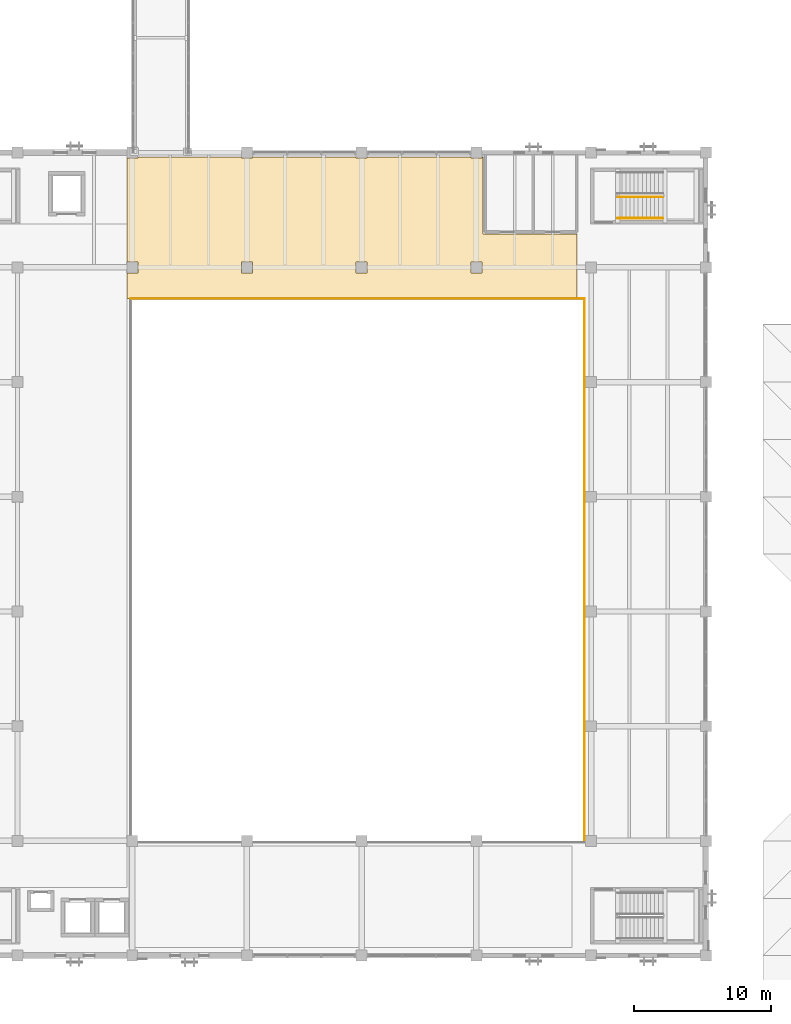
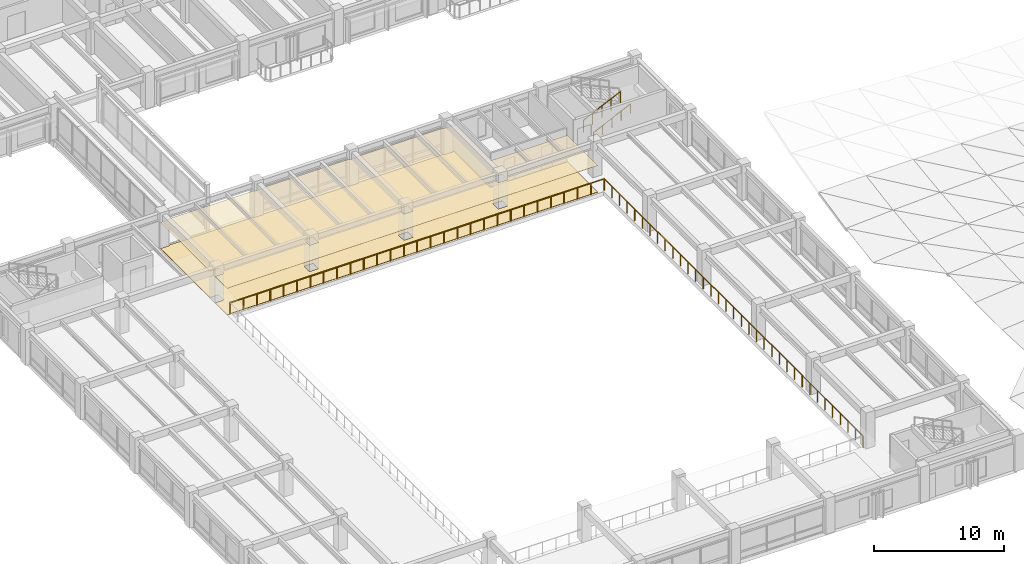
# One storey, part 107 of 123: 4 railings, 2 coverings.
"""IFC4 building model written with IfcOpenShell, lengths in metres."""

from ifc_helpers import new_model, si_unit, direction, frame, origin, origin_2d, place, context, subcontext, project, spatial, polyline, circle, outline, extrude, material, layer, layer_set, type_object, element, save


model = new_model("IFC4")

# Units and contexts
model_context = context("Model", 3, precision=1e-05, world=origin(), true_north=direction((0.0, 1.0)))
body_context = subcontext(model_context, "Body", "Model", "MODEL_VIEW")
ifc_project = project(units=[si_unit("LENGTHUNIT", "METRE"), si_unit("AREAUNIT", "SQUARE_METRE"), si_unit("VOLUMEUNIT", "CUBIC_METRE"), si_unit("PLANEANGLEUNIT", "RADIAN"), si_unit("MASSUNIT", "GRAM", prefix="KILO")], contexts=[model_context])

# Site, building, storey
site_placement = place(None, origin())
site = spatial("IfcSite", under=ifc_project, at=site_placement, CompositionType="ELEMENT")
building_placement = place(site_placement, origin())
building = spatial("IfcBuilding", under=site, at=building_placement, Name="Cumbredor Promenade Congress Hotel", CompositionType="ELEMENT")
storey_placement = place(building_placement, frame((0.0, 0.0, 11.760009765625)))
storey = spatial("IfcBuildingStorey", under=building, at=storey_placement, Name="L03", CompositionType="ELEMENT", Elevation=11.760009765625)

# Covering
ifc_material_1 = material(Name="Acoustic mineral-fiber and gypsum ceiling")
ifc_layer_1 = layer(ifc_material_1, 0.028076171875, Name="Acoustic mineral-fiber and gypsum ceiling")
ifc_layer_set_1 = layer_set([ifc_layer_1], Name="Acoustic mineral-fiber and gypsum ceiling")
covering_type_1 = type_object("IfcCoveringType", Name="Acoustic Perforated Gypsum Ceiling CLG-03 28mm", PredefinedType="CEILING", material=ifc_layer_set_1)
covering_1_placement = place(storey_placement, frame((0.0, 0.0, 2.48193359375)))
element("IfcCovering", 1, at=covering_1_placement, inside=storey, type_object=covering_type_1, Name="L03 Plenary North Concourse Corridor Acoustic Ceiling", PredefinedType="CEILING", context=body_context, shape_type="SweptSolid", body=[
    extrude(outline(polyline([(25.60498046875, 58.39501953125), (25.60498046875, 59.205078125), (24.830078125, 59.205078125), (24.830078125, 66.794921875), (25.60498046875, 66.794921875), (25.60498046875, 66.8701171875), (33.195068359375, 66.8701171875), (33.195068359375, 66.794921875), (34.0048828125, 66.794921875), (34.0048828125, 66.8701171875), (41.594970703125, 66.8701171875), (41.594970703125, 66.794921875), (42.405029296875, 66.794921875), (42.405029296875, 66.8701171875), (49.9951171875, 66.8701171875), (49.9951171875, 66.794921875), (50.804931640625, 66.794921875), (50.804931640625, 66.8701171875), (50.89990234375, 66.8701171875), (50.89990234375, 61.25), (57.77001953125, 61.25), (57.77001953125, 56.550048828125), (25.050048828125, 56.550048828125), (25.050048828125, 56.530029296875), (24.830078125, 56.530029296875), (24.830078125, 58.39501953125), (25.60498046875, 58.39501953125)]), holes=[polyline([(33.195068359375, 59.205078125), (33.195068359375, 58.39501953125), (34.0048828125, 58.39501953125), (34.0048828125, 59.205078125), (33.195068359375, 59.205078125)]), polyline([(42.405029296875, 58.39501953125), (42.405029296875, 59.205078125), (41.594970703125, 59.205078125), (41.594970703125, 58.39501953125), (42.405029296875, 58.39501953125)]), polyline([(49.9951171875, 59.205078125), (49.9951171875, 58.39501953125), (50.804931640625, 58.39501953125), (50.804931640625, 59.205078125), (49.9951171875, 59.205078125)])]), origin(), (0.0, 0.0, 1.0), 0.028076171875),
])

# Railings
ifc_material_2 = material(Name="Brushed stainless steel", Category="steel")
railing_type_1 = type_object("IfcRailingType", Name="Interior Void & Stair Guardrail GR-1100", PredefinedType="GUARDRAIL", material=ifc_material_2)
railing_1_placement = place(storey_placement, frame((60.75, 63.949951171875, 0.139892578125)))
element("IfcRailing", 2, at=railing_1_placement, inside=storey, type_object=railing_type_1, Name="L03 ST-07 stair guard 1", PredefinedType="GUARDRAIL", context=body_context, shape_type="SweptSolid", body=[
    extrude(circle(Radius=0.02392578125, at=origin_2d()), frame((0.0, 0.0, 1.09619140625), z_axis=(0.906181427284, 0.0, 0.422889135408), x_axis=(0.0, 1.0, 0.0)), (0.0, 0.0, 1.0), 3.6416015625),
    extrude(circle(Radius=0.02099609375, at=origin_2d()), origin(), (0.0, 0.0, 1.0), 1.072021484375),
    extrude(circle(Radius=0.02099609375, at=origin_2d()), frame((0.824951171875, 0.0, 0.385009765625)), (0.0, 0.0, 1.0), 1.072021484375),
    extrude(circle(Radius=0.02099609375, at=origin_2d()), frame((1.64990234375, 0.0, 0.77001953125)), (0.0, 0.0, 1.0), 1.072021484375),
    extrude(circle(Radius=0.02099609375, at=origin_2d()), frame((2.47509765625, 0.0, 1.155029296875)), (0.0, 0.0, 1.0), 1.072021484375),
    extrude(circle(Radius=0.02099609375, at=origin_2d()), frame((3.300048828125, 0.0, 1.5400390625)), (0.0, 0.0, 1.0), 1.072021484375),
])
railing_2_placement = place(storey_placement, frame((58.320068359375, 16.679931640625, 0.0)))
element("IfcRailing", 3, at=railing_2_placement, inside=storey, type_object=railing_type_1, Name="L03 v1_plenary_bowl Void Perimeter Guardrail 2", PredefinedType="GUARDRAIL", context=body_context, shape_type="SweptSolid", body=[
    extrude(circle(Radius=0.02392578125, at=origin_2d()), frame((0.0, 0.0, 1.09619140625), z_axis=(0.0, 1.0, 0.0), x_axis=(-1.0, 0.0, 0.0)), (0.0, 0.0, 1.0), 39.840087890625),
    extrude(circle(Radius=0.02099609375, at=origin_2d()), origin(), (0.0, 0.0, 1.0), 1.072021484375),
    extrude(circle(Radius=0.02099609375, at=origin_2d()), frame((0.0, 1.171875, 0.0)), (0.0, 0.0, 1.0), 1.072021484375),
    extrude(circle(Radius=0.02099609375, at=origin_2d()), frame((0.0, 2.343505859375, 0.0)), (0.0, 0.0, 1.0), 1.072021484375),
    extrude(circle(Radius=0.02099609375, at=origin_2d()), frame((0.0, 3.515380859375, 0.0)), (0.0, 0.0, 1.0), 1.072021484375),
    extrude(circle(Radius=0.02099609375, at=origin_2d()), frame((0.0, 4.68701171875, 0.0)), (0.0, 0.0, 1.0), 1.072021484375),
    extrude(circle(Radius=0.02099609375, at=origin_2d()), frame((0.0, 5.85888671875, 0.0)), (0.0, 0.0, 1.0), 1.072021484375),
    extrude(circle(Radius=0.02099609375, at=origin_2d()), frame((0.0, 7.030517578125, 0.0)), (0.0, 0.0, 1.0), 1.072021484375),
    extrude(circle(Radius=0.02099609375, at=origin_2d()), frame((0.0, 8.202392578125, 0.0)), (0.0, 0.0, 1.0), 1.072021484375),
    extrude(circle(Radius=0.02099609375, at=origin_2d()), frame((0.0, 9.3740234375, 0.0)), (0.0, 0.0, 1.0), 1.072021484375),
    extrude(circle(Radius=0.02099609375, at=origin_2d()), frame((0.0, 10.5458984375, 0.0)), (0.0, 0.0, 1.0), 1.072021484375),
    extrude(circle(Radius=0.02099609375, at=origin_2d()), frame((0.0, 11.7177734375, 0.0)), (0.0, 0.0, 1.0), 1.072021484375),
    extrude(circle(Radius=0.02099609375, at=origin_2d()), frame((0.0, 12.889404296875, 0.0)), (0.0, 0.0, 1.0), 1.072021484375),
    extrude(circle(Radius=0.02099609375, at=origin_2d()), frame((0.0, 14.061279296875, 0.0)), (0.0, 0.0, 1.0), 1.072021484375),
    extrude(circle(Radius=0.02099609375, at=origin_2d()), frame((0.0, 15.23291015625, 0.0)), (0.0, 0.0, 1.0), 1.072021484375),
    extrude(circle(Radius=0.02099609375, at=origin_2d()), frame((0.0, 16.40478515625, 0.0)), (0.0, 0.0, 1.0), 1.072021484375),
    extrude(circle(Radius=0.02099609375, at=origin_2d()), frame((0.0, 17.576416015625, 0.0)), (0.0, 0.0, 1.0), 1.072021484375),
    extrude(circle(Radius=0.02099609375, at=origin_2d()), frame((0.0, 18.748291015625, 0.0)), (0.0, 0.0, 1.0), 1.072021484375),
    extrude(circle(Radius=0.02099609375, at=origin_2d()), frame((0.0, 19.919921875, 0.0)), (0.0, 0.0, 1.0), 1.072021484375),
    extrude(circle(Radius=0.02099609375, at=origin_2d()), frame((0.0, 21.091796875, 0.0)), (0.0, 0.0, 1.0), 1.072021484375),
    extrude(circle(Radius=0.02099609375, at=origin_2d()), frame((0.0, 22.263671875, 0.0)), (0.0, 0.0, 1.0), 1.072021484375),
    extrude(circle(Radius=0.02099609375, at=origin_2d()), frame((0.0, 23.435302734375, 0.0)), (0.0, 0.0, 1.0), 1.072021484375),
    extrude(circle(Radius=0.02099609375, at=origin_2d()), frame((0.0, 24.607177734375, 0.0)), (0.0, 0.0, 1.0), 1.072021484375),
    extrude(circle(Radius=0.02099609375, at=origin_2d()), frame((0.0, 25.77880859375, 0.0)), (0.0, 0.0, 1.0), 1.072021484375),
    extrude(circle(Radius=0.02099609375, at=origin_2d()), frame((0.0, 26.95068359375, 0.0)), (0.0, 0.0, 1.0), 1.072021484375),
    extrude(circle(Radius=0.02099609375, at=origin_2d()), frame((0.0, 28.122314453125, 0.0)), (0.0, 0.0, 1.0), 1.072021484375),
    extrude(circle(Radius=0.02099609375, at=origin_2d()), frame((0.0, 29.294189453125, 0.0)), (0.0, 0.0, 1.0), 1.072021484375),
    extrude(circle(Radius=0.02099609375, at=origin_2d()), frame((0.0, 30.466064453125, 0.0)), (0.0, 0.0, 1.0), 1.072021484375),
    extrude(circle(Radius=0.02099609375, at=origin_2d()), frame((0.0, 31.6376953125, 0.0)), (0.0, 0.0, 1.0), 1.072021484375),
    extrude(circle(Radius=0.02099609375, at=origin_2d()), frame((0.0, 32.8095703125, 0.0)), (0.0, 0.0, 1.0), 1.072021484375),
    extrude(circle(Radius=0.02099609375, at=origin_2d()), frame((0.0, 33.981201171875, 0.0)), (0.0, 0.0, 1.0), 1.072021484375),
    extrude(circle(Radius=0.02099609375, at=origin_2d()), frame((0.0, 35.153076171875, 0.0)), (0.0, 0.0, 1.0), 1.072021484375),
    extrude(circle(Radius=0.02099609375, at=origin_2d()), frame((0.0, 36.32470703125, 0.0)), (0.0, 0.0, 1.0), 1.072021484375),
    extrude(circle(Radius=0.02099609375, at=origin_2d()), frame((0.0, 37.49658203125, 0.0)), (0.0, 0.0, 1.0), 1.072021484375),
    extrude(circle(Radius=0.02099609375, at=origin_2d()), frame((0.0, 38.668212890625, 0.0)), (0.0, 0.0, 1.0), 1.072021484375),
    extrude(circle(Radius=0.02099609375, at=origin_2d()), frame((0.0, 39.840087890625, 0.0)), (0.0, 0.0, 1.0), 1.072021484375),
])
railing_3_placement = place(storey_placement, frame((58.320068359375, 56.52001953125, 0.0)))
element("IfcRailing", 4, at=railing_3_placement, inside=storey, type_object=railing_type_1, Name="L03 v1_plenary_bowl Void Perimeter Guardrail 3", PredefinedType="GUARDRAIL", context=body_context, shape_type="SweptSolid", body=[
    extrude(circle(Radius=0.02392578125, at=origin_2d()), frame((0.0, 0.0, 1.09619140625), z_axis=(-1.0, 0.0, 0.0), x_axis=(0.0, -1.0, 0.0)), (0.0, 0.0, 1.0), 33.239990234375),
    extrude(circle(Radius=0.02099609375, at=origin_2d()), origin(), (0.0, 0.0, 1.0), 1.072021484375),
    extrude(circle(Radius=0.02099609375, at=origin_2d()), frame((-1.187255859375, 0.0, 0.0)), (0.0, 0.0, 1.0), 1.072021484375),
    extrude(circle(Radius=0.02099609375, at=origin_2d()), frame((-2.374267578125, 0.0, 0.0)), (0.0, 0.0, 1.0), 1.072021484375),
    extrude(circle(Radius=0.02099609375, at=origin_2d()), frame((-3.5615234375, 0.0, 0.0)), (0.0, 0.0, 1.0), 1.072021484375),
    extrude(circle(Radius=0.02099609375, at=origin_2d()), frame((-4.74853515625, 0.0, 0.0)), (0.0, 0.0, 1.0), 1.072021484375),
    extrude(circle(Radius=0.02099609375, at=origin_2d()), frame((-5.935791015625, 0.0, 0.0)), (0.0, 0.0, 1.0), 1.072021484375),
    extrude(circle(Radius=0.02099609375, at=origin_2d()), frame((-7.122802734375, 0.0, 0.0)), (0.0, 0.0, 1.0), 1.072021484375),
    extrude(circle(Radius=0.02099609375, at=origin_2d()), frame((-8.31005859375, 0.0, 0.0)), (0.0, 0.0, 1.0), 1.072021484375),
    extrude(circle(Radius=0.02099609375, at=origin_2d()), frame((-9.4970703125, 0.0, 0.0)), (0.0, 0.0, 1.0), 1.072021484375),
    extrude(circle(Radius=0.02099609375, at=origin_2d()), frame((-10.684326171875, 0.0, 0.0)), (0.0, 0.0, 1.0), 1.072021484375),
    extrude(circle(Radius=0.02099609375, at=origin_2d()), frame((-11.871337890625, 0.0, 0.0)), (0.0, 0.0, 1.0), 1.072021484375),
    extrude(circle(Radius=0.02099609375, at=origin_2d()), frame((-13.05859375, 0.0, 0.0)), (0.0, 0.0, 1.0), 1.072021484375),
    extrude(circle(Radius=0.02099609375, at=origin_2d()), frame((-14.24560546875, 0.0, 0.0)), (0.0, 0.0, 1.0), 1.072021484375),
    extrude(circle(Radius=0.02099609375, at=origin_2d()), frame((-15.432861328125, 0.0, 0.0)), (0.0, 0.0, 1.0), 1.072021484375),
    extrude(circle(Radius=0.02099609375, at=origin_2d()), frame((-16.6201171875, 0.0, 0.0)), (0.0, 0.0, 1.0), 1.072021484375),
    extrude(circle(Radius=0.02099609375, at=origin_2d()), frame((-17.80712890625, 0.0, 0.0)), (0.0, 0.0, 1.0), 1.072021484375),
    extrude(circle(Radius=0.02099609375, at=origin_2d()), frame((-18.994384765625, 0.0, 0.0)), (0.0, 0.0, 1.0), 1.072021484375),
    extrude(circle(Radius=0.02099609375, at=origin_2d()), frame((-20.181396484375, 0.0, 0.0)), (0.0, 0.0, 1.0), 1.072021484375),
    extrude(circle(Radius=0.02099609375, at=origin_2d()), frame((-21.36865234375, 0.0, 0.0)), (0.0, 0.0, 1.0), 1.072021484375),
    extrude(circle(Radius=0.02099609375, at=origin_2d()), frame((-22.5556640625, 0.0, 0.0)), (0.0, 0.0, 1.0), 1.072021484375),
    extrude(circle(Radius=0.02099609375, at=origin_2d()), frame((-23.742919921875, 0.0, 0.0)), (0.0, 0.0, 1.0), 1.072021484375),
    extrude(circle(Radius=0.02099609375, at=origin_2d()), frame((-24.929931640625, 0.0, 0.0)), (0.0, 0.0, 1.0), 1.072021484375),
    extrude(circle(Radius=0.02099609375, at=origin_2d()), frame((-26.1171875, 0.0, 0.0)), (0.0, 0.0, 1.0), 1.072021484375),
    extrude(circle(Radius=0.02099609375, at=origin_2d()), frame((-27.30419921875, 0.0, 0.0)), (0.0, 0.0, 1.0), 1.072021484375),
    extrude(circle(Radius=0.02099609375, at=origin_2d()), frame((-28.491455078125, 0.0, 0.0)), (0.0, 0.0, 1.0), 1.072021484375),
    extrude(circle(Radius=0.02099609375, at=origin_2d()), frame((-29.678466796875, 0.0, 0.0)), (0.0, 0.0, 1.0), 1.072021484375),
    extrude(circle(Radius=0.02099609375, at=origin_2d()), frame((-30.86572265625, 0.0, 0.0)), (0.0, 0.0, 1.0), 1.072021484375),
    extrude(circle(Radius=0.02099609375, at=origin_2d()), frame((-32.052734375, 0.0, 0.0)), (0.0, 0.0, 1.0), 1.072021484375),
    extrude(circle(Radius=0.02099609375, at=origin_2d()), frame((-33.239990234375, 0.0, 0.0)), (0.0, 0.0, 1.0), 1.072021484375),
])

# Covering
ifc_material_3 = material(Name="Porcelain stoneware tile", Category="masonry")
ifc_layer_2 = layer(ifc_material_3, 0.030029296875, Name="Porcelain stoneware tile", Category="masonry")
ifc_layer_set_2 = layer_set([ifc_layer_2], Name="Porcelain stoneware tile")
covering_type_2 = type_object("IfcCoveringType", Name="Porcelain Stoneware Flooring FLR-03 30mm", PredefinedType="FLOORING", material=ifc_layer_set_2)
covering_2_placement = place(storey_placement, origin())
element("IfcCovering", 5, at=covering_2_placement, inside=storey, type_object=covering_type_2, Name="L03 Plenary North Concourse Corridor Porcelain Flooring", PredefinedType="FLOORING", context=body_context, shape_type="SweptSolid", body=[
    extrude(outline(polyline([(25.60498046875, 58.39501953125), (25.60498046875, 59.205078125), (24.830078125, 59.205078125), (24.830078125, 66.794921875), (25.60498046875, 66.794921875), (25.60498046875, 66.8701171875), (33.195068359375, 66.8701171875), (33.195068359375, 66.794921875), (34.0048828125, 66.794921875), (34.0048828125, 66.8701171875), (41.594970703125, 66.8701171875), (41.594970703125, 66.794921875), (42.405029296875, 66.794921875), (42.405029296875, 66.8701171875), (49.9951171875, 66.8701171875), (49.9951171875, 66.794921875), (50.804931640625, 66.794921875), (50.804931640625, 66.8701171875), (50.89990234375, 66.8701171875), (50.89990234375, 61.25), (57.77001953125, 61.25), (57.77001953125, 56.550048828125), (25.050048828125, 56.550048828125), (25.050048828125, 56.530029296875), (24.830078125, 56.530029296875), (24.830078125, 58.39501953125), (25.60498046875, 58.39501953125)]), holes=[polyline([(33.195068359375, 59.205078125), (33.195068359375, 58.39501953125), (34.0048828125, 58.39501953125), (34.0048828125, 59.205078125), (33.195068359375, 59.205078125)]), polyline([(42.405029296875, 58.39501953125), (42.405029296875, 59.205078125), (41.594970703125, 59.205078125), (41.594970703125, 58.39501953125), (42.405029296875, 58.39501953125)]), polyline([(49.9951171875, 59.205078125), (49.9951171875, 58.39501953125), (50.804931640625, 58.39501953125), (50.804931640625, 59.205078125), (49.9951171875, 59.205078125)])]), origin(), (0.0, 0.0, 1.0), 0.030029296875),
])

# Railing
railing_type_2 = type_object("IfcRailingType", Name="Stair Pitch Handrail HR-900", PredefinedType="HANDRAIL", material=ifc_material_2)
railing_4_placement = place(storey_placement, frame((60.75, 62.39990234375, 0.139892578125)))
element("IfcRailing", 6, at=railing_4_placement, inside=storey, type_object=railing_type_2, Name="L03 ST-07 stair handrail 1", PredefinedType="HANDRAIL", context=body_context, shape_type="SweptSolid", body=[
    extrude(circle(Radius=0.02392578125, at=origin_2d()), frame((0.0, 0.0, 0.8759765625), z_axis=(0.906181427284, 0.0, 0.422889135408), x_axis=(0.0, 1.0, 0.0)), (0.0, 0.0, 1.0), 3.6416015625),
    extrude(circle(Radius=0.02099609375, at=origin_2d()), origin(), (0.0, 0.0, 1.0), 0.851806640625),
    extrude(circle(Radius=0.02099609375, at=origin_2d()), frame((0.824951171875, 0.0, 0.385009765625)), (0.0, 0.0, 1.0), 0.851806640625),
    extrude(circle(Radius=0.02099609375, at=origin_2d()), frame((1.64990234375, 0.0, 0.77001953125)), (0.0, 0.0, 1.0), 0.851806640625),
    extrude(circle(Radius=0.02099609375, at=origin_2d()), frame((2.47509765625, 0.0, 1.155029296875)), (0.0, 0.0, 1.0), 0.851806640625),
    extrude(circle(Radius=0.02099609375, at=origin_2d()), frame((3.300048828125, 0.0, 1.5400390625)), (0.0, 0.0, 1.0), 0.851806640625),
])

save(model, "model.ifc")
